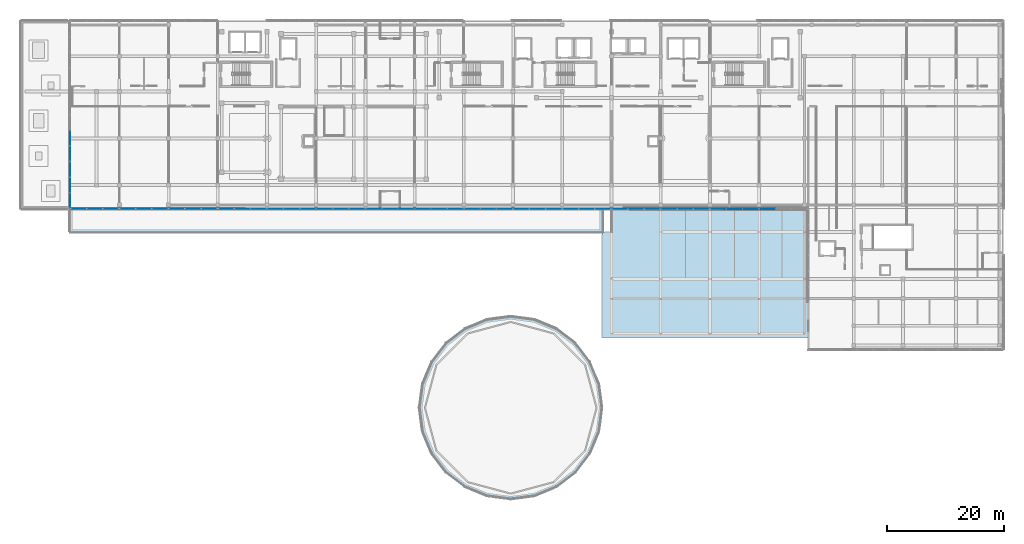
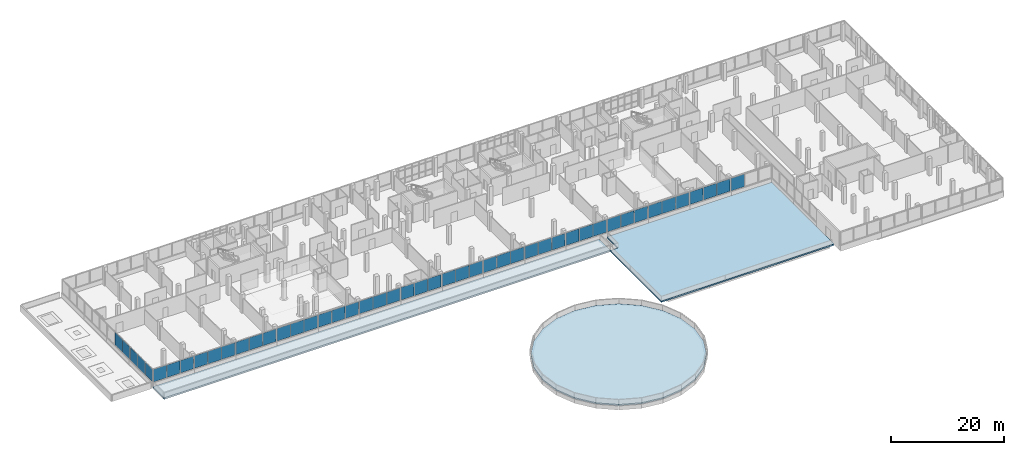
# One storey, part 59 of 78: 48 plates, 3 slabs, 17 elements without a shape of their own.
"""IFC4 building model written with IfcOpenShell, lengths in metres."""

from ifc_helpers import new_model, si_unit, direction, frame, origin, origin_2d, place, context, subcontext, project, spatial, polyline, rectangle, outline, extrude, material, layer, layer_set, type_object, element, aggregate, save


model = new_model("IFC4")

# Units and contexts
model_context = context("Model", 3, precision=1e-05, world=origin(), true_north=direction((0.0, 1.0)))
body_context = subcontext(model_context, "Body", "Model", "MODEL_VIEW")
ifc_project = project(units=[si_unit("LENGTHUNIT", "METRE"), si_unit("AREAUNIT", "SQUARE_METRE"), si_unit("VOLUMEUNIT", "CUBIC_METRE"), si_unit("PLANEANGLEUNIT", "RADIAN"), si_unit("MASSUNIT", "GRAM", prefix="KILO")], contexts=[model_context])

# Site, building, storey
site_placement = place(None, origin())
site = spatial("IfcSite", under=ifc_project, at=site_placement, CompositionType="ELEMENT")
building_placement = place(site_placement, origin())
building = spatial("IfcBuilding", under=site, at=building_placement, Name="Selatvlak General Hospital", CompositionType="ELEMENT")
storey_placement = place(building_placement, frame((0.0, 0.0, 23.25)))
storey = spatial("IfcBuildingStorey", under=building, at=storey_placement, Name="L05", CompositionType="ELEMENT", Elevation=23.25)

# Curtain wall, plates
ifc_material_1 = material(Name="Solar-control Low-E double glazing", Category="glass")
curtain_wall_type_1 = type_object("IfcCurtainWallType", Name="CW-CW-01", PredefinedType="USERDEFINED", material=ifc_material_1)
curtain_wall_1_placement = place(storey_placement, origin())
curtain_wall_1 = element("IfcCurtainWall", 1, at=curtain_wall_1_placement, inside=storey, type_object=curtain_wall_type_1, Name="Glazed facade curtain wall CW-L05-0543", ObjectType="UNITISED CURTAIN WALL", PredefinedType="USERDEFINED")
ifc_layer_1 = layer(ifc_material_1, 0.028076171875, Name="Solar-control Low-E double glazing", Category="glass")
ifc_layer_set_1 = layer_set([ifc_layer_1], Name="Solar-control Low-E double glazing")
plate_type = type_object("IfcPlateType", Name="CWP-01", PredefinedType="CURTAIN_PANEL", material=ifc_layer_set_1)
plate_1_placement = place(storey_placement, frame((22.800048828125, 89.359619140625, 1.0048828125), z_axis=(0.0, 0.0, 1.0), x_axis=(0.0, 1.0, 0.0)))
plate_1 = element("IfcPlate", 2, at=plate_1_placement, type_object=plate_type, Name="CW-01 panel 1.1", PredefinedType="CURTAIN_PANEL", context=body_context, shape_type="SweptSolid", body=[
    extrude(rectangle(XDim=2.55908203125, YDim=0.028076171875, at=origin_2d()), origin(), (0.0, 0.0, 1.0), 2.705078125),
])
plate_2_placement = place(storey_placement, frame((22.800048828125, 92.0, 1.0048828125), z_axis=(0.0, 0.0, 1.0), x_axis=(0.0, 1.0, 0.0)))
plate_2 = element("IfcPlate", 3, at=plate_2_placement, type_object=plate_type, Name="CW-01 panel 2.1", PredefinedType="CURTAIN_PANEL", context=body_context, shape_type="SweptSolid", body=[
    extrude(rectangle(XDim=2.591552734375, YDim=0.028076171875, at=origin_2d()), origin(), (0.0, 0.0, 1.0), 2.705078125),
])
plate_3_placement = place(storey_placement, frame((22.800048828125, 94.640380859375, 1.0048828125), z_axis=(0.0, 0.0, 1.0), x_axis=(0.0, 1.0, 0.0)))
plate_3 = element("IfcPlate", 4, at=plate_3_placement, type_object=plate_type, Name="CW-01 panel 3.1", PredefinedType="CURTAIN_PANEL", context=body_context, shape_type="SweptSolid", body=[
    extrude(rectangle(XDim=2.55908203125, YDim=0.028076171875, at=origin_2d()), origin(), (0.0, 0.0, 1.0), 2.705078125),
])
aggregate(curtain_wall_1, [plate_1, plate_2, plate_3])

curtain_wall_type_2 = type_object("IfcCurtainWallType", Name="CW-CW-02", PredefinedType="USERDEFINED", material=ifc_material_1)
curtain_wall_2_placement = place(storey_placement, origin())
curtain_wall_2 = element("IfcCurtainWall", 5, at=curtain_wall_2_placement, inside=storey, type_object=curtain_wall_type_2, Name="Glazed facade curtain wall CW-L05-0544", ObjectType="UNITISED CURTAIN WALL", PredefinedType="USERDEFINED")
plate_4_placement = place(storey_placement, frame((22.800048828125, 97.401123046875, 1.0048828125), z_axis=(0.0, 0.0, 1.0), x_axis=(0.0, 1.0, 0.0)))
plate_4 = element("IfcPlate", 6, at=plate_4_placement, type_object=plate_type, Name="CW-02 panel 1.1", PredefinedType="CURTAIN_PANEL", context=body_context, shape_type="SweptSolid", body=[
    extrude(rectangle(XDim=2.542236328125, YDim=0.028076171875, at=origin_2d()), origin(), (0.0, 0.0, 1.0), 2.705078125),
])
plate_5_placement = place(storey_placement, frame((22.800048828125, 100.0244140625, 1.0048828125), z_axis=(0.0, 0.0, 1.0), x_axis=(0.0, 1.0, 0.0)))
plate_5 = element("IfcPlate", 7, at=plate_5_placement, type_object=plate_type, Name="CW-02 panel 2.1", PredefinedType="CURTAIN_PANEL", context=body_context, shape_type="SweptSolid", body=[
    extrude(rectangle(XDim=2.57470703125, YDim=0.028076171875, at=origin_2d()), origin(), (0.0, 0.0, 1.0), 2.705078125),
])
aggregate(curtain_wall_2, [plate_4, plate_5])

# Curtain wall, plate
curtain_wall_3_placement = place(storey_placement, origin())
curtain_wall_3 = element("IfcCurtainWall", 8, at=curtain_wall_3_placement, inside=storey, type_object=curtain_wall_type_1, Name="Glazed facade curtain wall CW-L05-0579", ObjectType="UNITISED CURTAIN WALL", PredefinedType="USERDEFINED")
plate_6_placement = place(storey_placement, frame((141.81787109375, 87.943359375, 1.0048828125), z_axis=(0.0, 0.0, 1.0), x_axis=(-0.99999988443, 0.00048076918, 0.0)))
plate_6 = element("IfcPlate", 9, at=plate_6_placement, type_object=plate_type, Name="CW-01 panel 3.1", PredefinedType="CURTAIN_PANEL", context=body_context, shape_type="SweptSolid", body=[
    extrude(rectangle(XDim=2.67578125, YDim=0.028076171875, at=origin_2d()), origin(), (0.0, 0.0, 1.0), 2.705078125),
])
aggregate(curtain_wall_3, [plate_6])

# Curtain wall, plates
curtain_wall_4_placement = place(storey_placement, origin())
curtain_wall_4 = element("IfcCurtainWall", 10, at=curtain_wall_4_placement, inside=storey, type_object=curtain_wall_type_2, Name="Glazed facade curtain wall CW-L05-0580", ObjectType="UNITISED CURTAIN WALL", PredefinedType="USERDEFINED")
plate_7_placement = place(storey_placement, frame((138.93212890625, 87.944580078125, 1.0048828125), z_axis=(0.0, 0.0, 1.0), x_axis=(-0.99999988443, 0.00048076918, 0.0)))
plate_7 = element("IfcPlate", 11, at=plate_7_placement, type_object=plate_type, Name="CW-02 panel 1.1", PredefinedType="CURTAIN_PANEL", context=body_context, shape_type="SweptSolid", body=[
    extrude(rectangle(XDim=2.67578125, YDim=0.028076171875, at=origin_2d()), origin(), (0.0, 0.0, 1.0), 2.705078125),
])
plate_8_placement = place(storey_placement, frame((136.175048828125, 87.946044921875, 1.0048828125), z_axis=(0.0, 0.0, 1.0), x_axis=(-0.99999988443, 0.00048076918, 0.0)))
plate_8 = element("IfcPlate", 12, at=plate_8_placement, type_object=plate_type, Name="CW-02 panel 2.1", PredefinedType="CURTAIN_PANEL", context=body_context, shape_type="SweptSolid", body=[
    extrude(rectangle(XDim=2.708251953125, YDim=0.028076171875, at=origin_2d()), origin(), (0.0, 0.0, 1.0), 2.705078125),
])
plate_9_placement = place(storey_placement, frame((133.41796875, 87.947265625, 1.0048828125), z_axis=(0.0, 0.0, 1.0), x_axis=(-0.99999988443, 0.00048076918, 0.0)))
plate_9 = element("IfcPlate", 13, at=plate_9_placement, type_object=plate_type, Name="CW-02 panel 3.1", PredefinedType="CURTAIN_PANEL", context=body_context, shape_type="SweptSolid", body=[
    extrude(rectangle(XDim=2.67578125, YDim=0.028076171875, at=origin_2d()), origin(), (0.0, 0.0, 1.0), 2.705078125),
])
aggregate(curtain_wall_4, [plate_7, plate_8, plate_9])

curtain_wall_5_placement = place(storey_placement, origin())
curtain_wall_5 = element("IfcCurtainWall", 14, at=curtain_wall_5_placement, inside=storey, type_object=curtain_wall_type_1, Name="Glazed facade curtain wall CW-L05-0581", ObjectType="UNITISED CURTAIN WALL", PredefinedType="USERDEFINED")
plate_10_placement = place(storey_placement, frame((130.531982421875, 87.94873046875, 1.0048828125), z_axis=(0.0, 0.0, 1.0), x_axis=(-0.99999988443, 0.00048076918, 0.0)))
plate_10 = element("IfcPlate", 15, at=plate_10_placement, type_object=plate_type, Name="CW-01 panel 1.1", PredefinedType="CURTAIN_PANEL", context=body_context, shape_type="SweptSolid", body=[
    extrude(rectangle(XDim=2.67578125, YDim=0.028076171875, at=origin_2d()), origin(), (0.0, 0.0, 1.0), 2.705078125),
])
plate_11_placement = place(storey_placement, frame((127.77490234375, 87.949951171875, 1.0048828125), z_axis=(0.0, 0.0, 1.0), x_axis=(-0.99999988443, 0.00048076918, 0.0)))
plate_11 = element("IfcPlate", 16, at=plate_11_placement, type_object=plate_type, Name="CW-01 panel 2.1", PredefinedType="CURTAIN_PANEL", context=body_context, shape_type="SweptSolid", body=[
    extrude(rectangle(XDim=2.708251953125, YDim=0.028076171875, at=origin_2d()), origin(), (0.0, 0.0, 1.0), 2.705078125),
])
plate_12_placement = place(storey_placement, frame((125.017822265625, 87.951416015625, 1.0048828125), z_axis=(0.0, 0.0, 1.0), x_axis=(-0.99999988443, 0.00048076918, 0.0)))
plate_12 = element("IfcPlate", 17, at=plate_12_placement, type_object=plate_type, Name="CW-01 panel 3.1", PredefinedType="CURTAIN_PANEL", context=body_context, shape_type="SweptSolid", body=[
    extrude(rectangle(XDim=2.67578125, YDim=0.028076171875, at=origin_2d()), origin(), (0.0, 0.0, 1.0), 2.705078125),
])
aggregate(curtain_wall_5, [plate_10, plate_11, plate_12])

curtain_wall_6_placement = place(storey_placement, origin())
curtain_wall_6 = element("IfcCurtainWall", 18, at=curtain_wall_6_placement, inside=storey, type_object=curtain_wall_type_2, Name="Glazed facade curtain wall CW-L05-0582", ObjectType="UNITISED CURTAIN WALL", PredefinedType="USERDEFINED")
plate_13_placement = place(storey_placement, frame((122.132080078125, 87.95263671875, 1.0048828125), z_axis=(0.0, 0.0, 1.0), x_axis=(-0.99999988443, 0.00048076918, 0.0)))
plate_13 = element("IfcPlate", 19, at=plate_13_placement, type_object=plate_type, Name="CW-02 panel 1.1", PredefinedType="CURTAIN_PANEL", context=body_context, shape_type="SweptSolid", body=[
    extrude(rectangle(XDim=2.67578125, YDim=0.028076171875, at=origin_2d()), origin(), (0.0, 0.0, 1.0), 2.705078125),
])
plate_14_placement = place(storey_placement, frame((119.375, 87.9541015625, 1.0048828125), z_axis=(0.0, 0.0, 1.0), x_axis=(-0.99999988443, 0.00048076918, 0.0)))
plate_14 = element("IfcPlate", 20, at=plate_14_placement, type_object=plate_type, Name="CW-02 panel 2.1", PredefinedType="CURTAIN_PANEL", context=body_context, shape_type="SweptSolid", body=[
    extrude(rectangle(XDim=2.708251953125, YDim=0.028076171875, at=origin_2d()), origin(), (0.0, 0.0, 1.0), 2.705078125),
])
plate_15_placement = place(storey_placement, frame((116.617919921875, 87.955322265625, 1.0048828125), z_axis=(0.0, 0.0, 1.0), x_axis=(-0.99999988443, 0.00048076918, 0.0)))
plate_15 = element("IfcPlate", 21, at=plate_15_placement, type_object=plate_type, Name="CW-02 panel 3.1", PredefinedType="CURTAIN_PANEL", context=body_context, shape_type="SweptSolid", body=[
    extrude(rectangle(XDim=2.67578125, YDim=0.028076171875, at=origin_2d()), origin(), (0.0, 0.0, 1.0), 2.705078125),
])
aggregate(curtain_wall_6, [plate_13, plate_14, plate_15])

curtain_wall_7_placement = place(storey_placement, origin())
curtain_wall_7 = element("IfcCurtainWall", 22, at=curtain_wall_7_placement, inside=storey, type_object=curtain_wall_type_1, Name="Glazed facade curtain wall CW-L05-0583", ObjectType="UNITISED CURTAIN WALL", PredefinedType="USERDEFINED")
plate_16_placement = place(storey_placement, frame((113.732177734375, 87.956787109375, 1.0048828125), z_axis=(0.0, 0.0, 1.0), x_axis=(-0.99999988443, 0.00048076918, 0.0)))
plate_16 = element("IfcPlate", 23, at=plate_16_placement, type_object=plate_type, Name="CW-01 panel 1.1", PredefinedType="CURTAIN_PANEL", context=body_context, shape_type="SweptSolid", body=[
    extrude(rectangle(XDim=2.67578125, YDim=0.028076171875, at=origin_2d()), origin(), (0.0, 0.0, 1.0), 2.705078125),
])
plate_17_placement = place(storey_placement, frame((110.97509765625, 87.9580078125, 1.0048828125), z_axis=(0.0, 0.0, 1.0), x_axis=(-0.99999988443, 0.00048076918, 0.0)))
plate_17 = element("IfcPlate", 24, at=plate_17_placement, type_object=plate_type, Name="CW-01 panel 2.1", PredefinedType="CURTAIN_PANEL", context=body_context, shape_type="SweptSolid", body=[
    extrude(rectangle(XDim=2.708251953125, YDim=0.028076171875, at=origin_2d()), origin(), (0.0, 0.0, 1.0), 2.705078125),
])
plate_18_placement = place(storey_placement, frame((108.218017578125, 87.959228515625, 1.0048828125), z_axis=(0.0, 0.0, 1.0), x_axis=(-0.99999988443, 0.00048076918, 0.0)))
plate_18 = element("IfcPlate", 25, at=plate_18_placement, type_object=plate_type, Name="CW-01 panel 3.1", PredefinedType="CURTAIN_PANEL", context=body_context, shape_type="SweptSolid", body=[
    extrude(rectangle(XDim=2.67578125, YDim=0.028076171875, at=origin_2d()), origin(), (0.0, 0.0, 1.0), 2.705078125),
])
aggregate(curtain_wall_7, [plate_16, plate_17, plate_18])

curtain_wall_8_placement = place(storey_placement, origin())
curtain_wall_8 = element("IfcCurtainWall", 26, at=curtain_wall_8_placement, inside=storey, type_object=curtain_wall_type_2, Name="Glazed facade curtain wall CW-L05-0584", ObjectType="UNITISED CURTAIN WALL", PredefinedType="USERDEFINED")
plate_19_placement = place(storey_placement, frame((105.33203125, 87.960693359375, 1.0048828125), z_axis=(0.0, 0.0, 1.0), x_axis=(-0.99999988443, 0.00048076918, 0.0)))
plate_19 = element("IfcPlate", 27, at=plate_19_placement, type_object=plate_type, Name="CW-02 panel 1.1", PredefinedType="CURTAIN_PANEL", context=body_context, shape_type="SweptSolid", body=[
    extrude(rectangle(XDim=2.67578125, YDim=0.028076171875, at=origin_2d()), origin(), (0.0, 0.0, 1.0), 2.705078125),
])
plate_20_placement = place(storey_placement, frame((102.574951171875, 87.9619140625, 1.0048828125), z_axis=(0.0, 0.0, 1.0), x_axis=(-0.99999988443, 0.00048076918, 0.0)))
plate_20 = element("IfcPlate", 28, at=plate_20_placement, type_object=plate_type, Name="CW-02 panel 2.1", PredefinedType="CURTAIN_PANEL", context=body_context, shape_type="SweptSolid", body=[
    extrude(rectangle(XDim=2.708251953125, YDim=0.028076171875, at=origin_2d()), origin(), (0.0, 0.0, 1.0), 2.705078125),
])
plate_21_placement = place(storey_placement, frame((99.81787109375, 87.96337890625, 1.0048828125), z_axis=(0.0, 0.0, 1.0), x_axis=(-0.99999988443, 0.00048076918, 0.0)))
plate_21 = element("IfcPlate", 29, at=plate_21_placement, type_object=plate_type, Name="CW-02 panel 3.1", PredefinedType="CURTAIN_PANEL", context=body_context, shape_type="SweptSolid", body=[
    extrude(rectangle(XDim=2.67578125, YDim=0.028076171875, at=origin_2d()), origin(), (0.0, 0.0, 1.0), 2.705078125),
])
aggregate(curtain_wall_8, [plate_19, plate_20, plate_21])

curtain_wall_9_placement = place(storey_placement, origin())
curtain_wall_9 = element("IfcCurtainWall", 30, at=curtain_wall_9_placement, inside=storey, type_object=curtain_wall_type_1, Name="Glazed facade curtain wall CW-L05-0585", ObjectType="UNITISED CURTAIN WALL", PredefinedType="USERDEFINED")
plate_22_placement = place(storey_placement, frame((96.93212890625, 87.964599609375, 1.0048828125), z_axis=(0.0, 0.0, 1.0), x_axis=(-0.99999988443, 0.00048076918, 0.0)))
plate_22 = element("IfcPlate", 31, at=plate_22_placement, type_object=plate_type, Name="CW-01 panel 1.1", PredefinedType="CURTAIN_PANEL", context=body_context, shape_type="SweptSolid", body=[
    extrude(rectangle(XDim=2.67578125, YDim=0.028076171875, at=origin_2d()), origin(), (0.0, 0.0, 1.0), 2.705078125),
])
plate_23_placement = place(storey_placement, frame((94.175048828125, 87.966064453125, 1.0048828125), z_axis=(0.0, 0.0, 1.0), x_axis=(-0.99999988443, 0.00048076918, 0.0)))
plate_23 = element("IfcPlate", 32, at=plate_23_placement, type_object=plate_type, Name="CW-01 panel 2.1", PredefinedType="CURTAIN_PANEL", context=body_context, shape_type="SweptSolid", body=[
    extrude(rectangle(XDim=2.708251953125, YDim=0.028076171875, at=origin_2d()), origin(), (0.0, 0.0, 1.0), 2.705078125),
])
plate_24_placement = place(storey_placement, frame((91.41796875, 87.96728515625, 1.0048828125), z_axis=(0.0, 0.0, 1.0), x_axis=(-0.99999988443, 0.00048076918, 0.0)))
plate_24 = element("IfcPlate", 33, at=plate_24_placement, type_object=plate_type, Name="CW-01 panel 3.1", PredefinedType="CURTAIN_PANEL", context=body_context, shape_type="SweptSolid", body=[
    extrude(rectangle(XDim=2.67578125, YDim=0.028076171875, at=origin_2d()), origin(), (0.0, 0.0, 1.0), 2.705078125),
])
aggregate(curtain_wall_9, [plate_22, plate_23, plate_24])

curtain_wall_10_placement = place(storey_placement, origin())
curtain_wall_10 = element("IfcCurtainWall", 34, at=curtain_wall_10_placement, inside=storey, type_object=curtain_wall_type_2, Name="Glazed facade curtain wall CW-L05-0586", ObjectType="UNITISED CURTAIN WALL", PredefinedType="USERDEFINED")
plate_25_placement = place(storey_placement, frame((88.531982421875, 87.96875, 1.0048828125), z_axis=(0.0, 0.0, 1.0), x_axis=(-0.99999988443, 0.00048076918, 0.0)))
plate_25 = element("IfcPlate", 35, at=plate_25_placement, type_object=plate_type, Name="CW-02 panel 1.1", PredefinedType="CURTAIN_PANEL", context=body_context, shape_type="SweptSolid", body=[
    extrude(rectangle(XDim=2.67578125, YDim=0.028076171875, at=origin_2d()), origin(), (0.0, 0.0, 1.0), 2.705078125),
])
plate_26_placement = place(storey_placement, frame((85.77490234375, 87.969970703125, 1.0048828125), z_axis=(0.0, 0.0, 1.0), x_axis=(-0.99999988443, 0.00048076918, 0.0)))
plate_26 = element("IfcPlate", 36, at=plate_26_placement, type_object=plate_type, Name="CW-02 panel 2.1", PredefinedType="CURTAIN_PANEL", context=body_context, shape_type="SweptSolid", body=[
    extrude(rectangle(XDim=2.708251953125, YDim=0.028076171875, at=origin_2d()), origin(), (0.0, 0.0, 1.0), 2.705078125),
])
plate_27_placement = place(storey_placement, frame((83.017822265625, 87.971435546875, 1.0048828125), z_axis=(0.0, 0.0, 1.0), x_axis=(-0.99999988443, 0.00048076918, 0.0)))
plate_27 = element("IfcPlate", 37, at=plate_27_placement, type_object=plate_type, Name="CW-02 panel 3.1", PredefinedType="CURTAIN_PANEL", context=body_context, shape_type="SweptSolid", body=[
    extrude(rectangle(XDim=2.67578125, YDim=0.028076171875, at=origin_2d()), origin(), (0.0, 0.0, 1.0), 2.705078125),
])
aggregate(curtain_wall_10, [plate_25, plate_26, plate_27])

curtain_wall_11_placement = place(storey_placement, origin())
curtain_wall_11 = element("IfcCurtainWall", 38, at=curtain_wall_11_placement, inside=storey, type_object=curtain_wall_type_1, Name="Glazed facade curtain wall CW-L05-0587", ObjectType="UNITISED CURTAIN WALL", PredefinedType="USERDEFINED")
plate_28_placement = place(storey_placement, frame((80.132080078125, 87.97265625, 1.0048828125), z_axis=(0.0, 0.0, 1.0), x_axis=(-0.99999988443, 0.00048076918, 0.0)))
plate_28 = element("IfcPlate", 39, at=plate_28_placement, type_object=plate_type, Name="CW-01 panel 1.1", PredefinedType="CURTAIN_PANEL", context=body_context, shape_type="SweptSolid", body=[
    extrude(rectangle(XDim=2.67578125, YDim=0.028076171875, at=origin_2d()), origin(), (0.0, 0.0, 1.0), 2.705078125),
])
plate_29_placement = place(storey_placement, frame((77.375, 87.97412109375, 1.0048828125), z_axis=(0.0, 0.0, 1.0), x_axis=(-0.99999988443, 0.00048076918, 0.0)))
plate_29 = element("IfcPlate", 40, at=plate_29_placement, type_object=plate_type, Name="CW-01 panel 2.1", PredefinedType="CURTAIN_PANEL", context=body_context, shape_type="SweptSolid", body=[
    extrude(rectangle(XDim=2.708251953125, YDim=0.028076171875, at=origin_2d()), origin(), (0.0, 0.0, 1.0), 2.705078125),
])
plate_30_placement = place(storey_placement, frame((74.617919921875, 87.975341796875, 1.0048828125), z_axis=(0.0, 0.0, 1.0), x_axis=(-0.99999988443, 0.00048076918, 0.0)))
plate_30 = element("IfcPlate", 41, at=plate_30_placement, type_object=plate_type, Name="CW-01 panel 3.1", PredefinedType="CURTAIN_PANEL", context=body_context, shape_type="SweptSolid", body=[
    extrude(rectangle(XDim=2.67578125, YDim=0.028076171875, at=origin_2d()), origin(), (0.0, 0.0, 1.0), 2.705078125),
])
aggregate(curtain_wall_11, [plate_28, plate_29, plate_30])

curtain_wall_12_placement = place(storey_placement, origin())
curtain_wall_12 = element("IfcCurtainWall", 42, at=curtain_wall_12_placement, inside=storey, type_object=curtain_wall_type_2, Name="Glazed facade curtain wall CW-L05-0588", ObjectType="UNITISED CURTAIN WALL", PredefinedType="USERDEFINED")
plate_31_placement = place(storey_placement, frame((71.732177734375, 87.9765625, 1.0048828125), z_axis=(0.0, 0.0, 1.0), x_axis=(-0.99999988443, 0.00048076918, 0.0)))
plate_31 = element("IfcPlate", 43, at=plate_31_placement, type_object=plate_type, Name="CW-02 panel 1.1", PredefinedType="CURTAIN_PANEL", context=body_context, shape_type="SweptSolid", body=[
    extrude(rectangle(XDim=2.67578125, YDim=0.028076171875, at=origin_2d()), origin(), (0.0, 0.0, 1.0), 2.705078125),
])
plate_32_placement = place(storey_placement, frame((68.97509765625, 87.97802734375, 1.0048828125), z_axis=(0.0, 0.0, 1.0), x_axis=(-0.99999988443, 0.00048076918, 0.0)))
plate_32 = element("IfcPlate", 44, at=plate_32_placement, type_object=plate_type, Name="CW-02 panel 2.1", PredefinedType="CURTAIN_PANEL", context=body_context, shape_type="SweptSolid", body=[
    extrude(rectangle(XDim=2.708251953125, YDim=0.028076171875, at=origin_2d()), origin(), (0.0, 0.0, 1.0), 2.705078125),
])
plate_33_placement = place(storey_placement, frame((66.218017578125, 87.979248046875, 1.0048828125), z_axis=(0.0, 0.0, 1.0), x_axis=(-0.99999988443, 0.00048076918, 0.0)))
plate_33 = element("IfcPlate", 45, at=plate_33_placement, type_object=plate_type, Name="CW-02 panel 3.1", PredefinedType="CURTAIN_PANEL", context=body_context, shape_type="SweptSolid", body=[
    extrude(rectangle(XDim=2.67578125, YDim=0.028076171875, at=origin_2d()), origin(), (0.0, 0.0, 1.0), 2.705078125),
])
aggregate(curtain_wall_12, [plate_31, plate_32, plate_33])

curtain_wall_13_placement = place(storey_placement, origin())
curtain_wall_13 = element("IfcCurtainWall", 46, at=curtain_wall_13_placement, inside=storey, type_object=curtain_wall_type_1, Name="Glazed facade curtain wall CW-L05-0589", ObjectType="UNITISED CURTAIN WALL", PredefinedType="USERDEFINED")
plate_34_placement = place(storey_placement, frame((63.33203125, 87.980712890625, 1.0048828125), z_axis=(0.0, 0.0, 1.0), x_axis=(-0.99999988443, 0.00048076918, 0.0)))
plate_34 = element("IfcPlate", 47, at=plate_34_placement, type_object=plate_type, Name="CW-01 panel 1.1", PredefinedType="CURTAIN_PANEL", context=body_context, shape_type="SweptSolid", body=[
    extrude(rectangle(XDim=2.67578125, YDim=0.028076171875, at=origin_2d()), origin(), (0.0, 0.0, 1.0), 2.705078125),
])
plate_35_placement = place(storey_placement, frame((60.574951171875, 87.98193359375, 1.0048828125), z_axis=(0.0, 0.0, 1.0), x_axis=(-0.99999988443, 0.00048076918, 0.0)))
plate_35 = element("IfcPlate", 48, at=plate_35_placement, type_object=plate_type, Name="CW-01 panel 2.1", PredefinedType="CURTAIN_PANEL", context=body_context, shape_type="SweptSolid", body=[
    extrude(rectangle(XDim=2.708251953125, YDim=0.028076171875, at=origin_2d()), origin(), (0.0, 0.0, 1.0), 2.705078125),
])
plate_36_placement = place(storey_placement, frame((57.81787109375, 87.9833984375, 1.0048828125), z_axis=(0.0, 0.0, 1.0), x_axis=(-0.99999988443, 0.00048076918, 0.0)))
plate_36 = element("IfcPlate", 49, at=plate_36_placement, type_object=plate_type, Name="CW-01 panel 3.1", PredefinedType="CURTAIN_PANEL", context=body_context, shape_type="SweptSolid", body=[
    extrude(rectangle(XDim=2.67578125, YDim=0.028076171875, at=origin_2d()), origin(), (0.0, 0.0, 1.0), 2.705078125),
])
aggregate(curtain_wall_13, [plate_34, plate_35, plate_36])

curtain_wall_14_placement = place(storey_placement, origin())
curtain_wall_14 = element("IfcCurtainWall", 50, at=curtain_wall_14_placement, inside=storey, type_object=curtain_wall_type_2, Name="Glazed facade curtain wall CW-L05-0590", ObjectType="UNITISED CURTAIN WALL", PredefinedType="USERDEFINED")
plate_37_placement = place(storey_placement, frame((54.93212890625, 87.984619140625, 1.0048828125), z_axis=(0.0, 0.0, 1.0), x_axis=(-0.99999988443, 0.00048076918, 0.0)))
plate_37 = element("IfcPlate", 51, at=plate_37_placement, type_object=plate_type, Name="CW-02 panel 1.1", PredefinedType="CURTAIN_PANEL", context=body_context, shape_type="SweptSolid", body=[
    extrude(rectangle(XDim=2.67578125, YDim=0.028076171875, at=origin_2d()), origin(), (0.0, 0.0, 1.0), 2.705078125),
])
plate_38_placement = place(storey_placement, frame((52.175048828125, 87.986083984375, 1.0048828125), z_axis=(0.0, 0.0, 1.0), x_axis=(-0.99999988443, 0.00048076918, 0.0)))
plate_38 = element("IfcPlate", 52, at=plate_38_placement, type_object=plate_type, Name="CW-02 panel 2.1", PredefinedType="CURTAIN_PANEL", context=body_context, shape_type="SweptSolid", body=[
    extrude(rectangle(XDim=2.708251953125, YDim=0.028076171875, at=origin_2d()), origin(), (0.0, 0.0, 1.0), 2.705078125),
])
plate_39_placement = place(storey_placement, frame((49.41796875, 87.9873046875, 1.0048828125), z_axis=(0.0, 0.0, 1.0), x_axis=(-0.99999988443, 0.00048076918, 0.0)))
plate_39 = element("IfcPlate", 53, at=plate_39_placement, type_object=plate_type, Name="CW-02 panel 3.1", PredefinedType="CURTAIN_PANEL", context=body_context, shape_type="SweptSolid", body=[
    extrude(rectangle(XDim=2.67578125, YDim=0.028076171875, at=origin_2d()), origin(), (0.0, 0.0, 1.0), 2.705078125),
])
aggregate(curtain_wall_14, [plate_37, plate_38, plate_39])

curtain_wall_15_placement = place(storey_placement, origin())
curtain_wall_15 = element("IfcCurtainWall", 54, at=curtain_wall_15_placement, inside=storey, type_object=curtain_wall_type_1, Name="Glazed facade curtain wall CW-L05-0591", ObjectType="UNITISED CURTAIN WALL", PredefinedType="USERDEFINED")
plate_40_placement = place(storey_placement, frame((46.531982421875, 87.98876953125, 1.0048828125), z_axis=(0.0, 0.0, 1.0), x_axis=(-0.99999988443, 0.00048076918, 0.0)))
plate_40 = element("IfcPlate", 55, at=plate_40_placement, type_object=plate_type, Name="CW-01 panel 1.1", PredefinedType="CURTAIN_PANEL", context=body_context, shape_type="SweptSolid", body=[
    extrude(rectangle(XDim=2.67578125, YDim=0.028076171875, at=origin_2d()), origin(), (0.0, 0.0, 1.0), 2.705078125),
])
plate_41_placement = place(storey_placement, frame((43.77490234375, 87.989990234375, 1.0048828125), z_axis=(0.0, 0.0, 1.0), x_axis=(-0.99999988443, 0.00048076918, 0.0)))
plate_41 = element("IfcPlate", 56, at=plate_41_placement, type_object=plate_type, Name="CW-01 panel 2.1", PredefinedType="CURTAIN_PANEL", context=body_context, shape_type="SweptSolid", body=[
    extrude(rectangle(XDim=2.708251953125, YDim=0.028076171875, at=origin_2d()), origin(), (0.0, 0.0, 1.0), 2.705078125),
])
plate_42_placement = place(storey_placement, frame((41.017822265625, 87.9912109375, 1.0048828125), z_axis=(0.0, 0.0, 1.0), x_axis=(-0.99999988443, 0.00048076918, 0.0)))
plate_42 = element("IfcPlate", 57, at=plate_42_placement, type_object=plate_type, Name="CW-01 panel 3.1", PredefinedType="CURTAIN_PANEL", context=body_context, shape_type="SweptSolid", body=[
    extrude(rectangle(XDim=2.67578125, YDim=0.028076171875, at=origin_2d()), origin(), (0.0, 0.0, 1.0), 2.705078125),
])
aggregate(curtain_wall_15, [plate_40, plate_41, plate_42])

curtain_wall_16_placement = place(storey_placement, origin())
curtain_wall_16 = element("IfcCurtainWall", 58, at=curtain_wall_16_placement, inside=storey, type_object=curtain_wall_type_2, Name="Glazed facade curtain wall CW-L05-0592", ObjectType="UNITISED CURTAIN WALL", PredefinedType="USERDEFINED")
plate_43_placement = place(storey_placement, frame((38.132080078125, 87.99267578125, 1.0048828125), z_axis=(0.0, 0.0, 1.0), x_axis=(-0.99999988443, 0.00048076918, 0.0)))
plate_43 = element("IfcPlate", 59, at=plate_43_placement, type_object=plate_type, Name="CW-02 panel 1.1", PredefinedType="CURTAIN_PANEL", context=body_context, shape_type="SweptSolid", body=[
    extrude(rectangle(XDim=2.67578125, YDim=0.028076171875, at=origin_2d()), origin(), (0.0, 0.0, 1.0), 2.705078125),
])
plate_44_placement = place(storey_placement, frame((35.375, 87.993896484375, 1.0048828125), z_axis=(0.0, 0.0, 1.0), x_axis=(-0.99999988443, 0.00048076918, 0.0)))
plate_44 = element("IfcPlate", 60, at=plate_44_placement, type_object=plate_type, Name="CW-02 panel 2.1", PredefinedType="CURTAIN_PANEL", context=body_context, shape_type="SweptSolid", body=[
    extrude(rectangle(XDim=2.708251953125, YDim=0.028076171875, at=origin_2d()), origin(), (0.0, 0.0, 1.0), 2.705078125),
])
plate_45_placement = place(storey_placement, frame((32.617919921875, 87.995361328125, 1.0048828125), z_axis=(0.0, 0.0, 1.0), x_axis=(-0.99999988443, 0.00048076918, 0.0)))
plate_45 = element("IfcPlate", 61, at=plate_45_placement, type_object=plate_type, Name="CW-02 panel 3.1", PredefinedType="CURTAIN_PANEL", context=body_context, shape_type="SweptSolid", body=[
    extrude(rectangle(XDim=2.67578125, YDim=0.028076171875, at=origin_2d()), origin(), (0.0, 0.0, 1.0), 2.705078125),
])
aggregate(curtain_wall_16, [plate_43, plate_44, plate_45])

curtain_wall_17_placement = place(storey_placement, origin())
curtain_wall_17 = element("IfcCurtainWall", 62, at=curtain_wall_17_placement, inside=storey, type_object=curtain_wall_type_1, Name="Glazed facade curtain wall CW-L05-0593", ObjectType="UNITISED CURTAIN WALL", PredefinedType="USERDEFINED")
plate_46_placement = place(storey_placement, frame((29.740478515625, 87.99658203125, 1.0048828125), z_axis=(0.0, 0.0, 1.0), x_axis=(-0.999999883029, 0.000483675886, 0.0)))
plate_46 = element("IfcPlate", 63, at=plate_46_placement, type_object=plate_type, Name="CW-01 panel 1.1", PredefinedType="CURTAIN_PANEL", context=body_context, shape_type="SweptSolid", body=[
    extrude(rectangle(XDim=2.6591796875, YDim=0.028076171875, at=origin_2d()), origin(), (0.0, 0.0, 1.0), 2.705078125),
])
plate_47_placement = place(storey_placement, frame((27.0, 87.998046875, 1.0048828125), z_axis=(0.0, 0.0, 1.0), x_axis=(-0.999999883029, 0.000483675886, 0.0)))
plate_47 = element("IfcPlate", 64, at=plate_47_placement, type_object=plate_type, Name="CW-01 panel 2.1", PredefinedType="CURTAIN_PANEL", context=body_context, shape_type="SweptSolid", body=[
    extrude(rectangle(XDim=2.691650390625, YDim=0.028076171875, at=origin_2d()), origin(), (0.0, 0.0, 1.0), 2.705078125),
])
plate_48_placement = place(storey_placement, frame((24.259521484375, 87.999267578125, 1.0048828125), z_axis=(0.0, 0.0, 1.0), x_axis=(-0.999999883029, 0.000483675886, 0.0)))
plate_48 = element("IfcPlate", 65, at=plate_48_placement, type_object=plate_type, Name="CW-01 panel 3.1", PredefinedType="CURTAIN_PANEL", context=body_context, shape_type="SweptSolid", body=[
    extrude(rectangle(XDim=2.6591796875, YDim=0.028076171875, at=origin_2d()), origin(), (0.0, 0.0, 1.0), 2.705078125),
])
aggregate(curtain_wall_17, [plate_46, plate_47, plate_48])

# Slabs
ifc_material_2 = material(Name="Concrete C40/50", Category="concrete")
ifc_layer_2 = layer(ifc_material_2, 0.300048828125, Name="Concrete C40/50", Category="concrete")
ifc_layer_set_2 = layer_set([ifc_layer_2], Name="Concrete C40/50")
slab_type_1 = type_object("IfcSlabType", Name="SLAB-SL-RF3", PredefinedType="ROOF", material=ifc_layer_set_2)
slab_1_placement = place(storey_placement, frame((0.0, 0.0, -0.300048828125)))
element("IfcSlab", 66, at=slab_1_placement, inside=storey, type_object=slab_type_1, Name="L05 roof slab ROOF-V4-TERR", PredefinedType="ROOF", context=body_context, shape_type="SweptSolid", body=[
    extrude(outline(polyline([(115.2041015625, 83.992919921875), (115.2080078125, 87.991943359375), (148.7919921875, 87.991943359375), (148.7919921875, 66.0), (113.60498046875, 66.0), (113.60498046875, 83.991943359375), (115.2041015625, 83.992919921875)])), origin(), (0.0, 0.0, 1.0), 0.300048828125),
])
ifc_layer_3 = layer(ifc_material_2, 0.33203125, Name="Concrete C40/50", Category="concrete")
ifc_layer_set_3 = layer_set([ifc_layer_3], Name="Concrete C40/50")
slab_type_2 = type_object("IfcSlabType", Name="SLAB-SL-RF5", PredefinedType="ROOF", material=ifc_layer_set_3)
slab_2_placement = place(storey_placement, frame((0.0, 0.0, -0.281982421875)))
element("IfcSlab", 67, at=slab_2_placement, inside=storey, type_object=slab_type_2, Name="L05 roof slab ROOF-V3-2", PredefinedType="ROOF", context=body_context, shape_type="SweptSolid", body=[
    extrude(outline(polyline([(22.800048828125, 87.991943359375), (113.594970703125, 87.991943359375), (113.594970703125, 84.0), (22.800048828125, 84.0), (22.800048828125, 87.991943359375)])), origin(), (0.0, 0.0, 1.0), 0.33203125),
])
ifc_layer_4 = layer(ifc_material_2, 0.25, Name="Concrete C40/50", Category="concrete")
ifc_layer_set_4 = layer_set([ifc_layer_4], Name="Concrete C40/50")
slab_type_3 = type_object("IfcSlabType", Name="SLAB-SL-RF6", PredefinedType="ROOF", material=ifc_layer_set_4)
slab_3_placement = place(storey_placement, frame((0.0, 0.0, 1.10009765625)))
element("IfcSlab", 68, at=slab_3_placement, inside=storey, type_object=slab_type_3, Name="L05 roof slab ROOF-DRUM-LANTERN", PredefinedType="ROOF", context=body_context, shape_type="SweptSolid", body=[
    extrude(outline(polyline([(113.5, 54.0), (112.971923828125, 58.011962890625), (111.423095703125, 61.75), (108.9599609375, 64.9599609375), (105.75, 67.423095703125), (102.011962890625, 68.971923828125), (98.0, 69.5), (93.988037109375, 68.971923828125), (90.25, 67.423095703125), (87.0400390625, 64.9599609375), (84.576904296875, 61.75), (83.028076171875, 58.011962890625), (82.5, 54.0), (83.028076171875, 49.988037109375), (84.576904296875, 46.25), (87.0400390625, 43.0400390625), (90.25, 40.576904296875), (93.988037109375, 39.028076171875), (98.0, 38.5), (102.011962890625, 39.028076171875), (105.75, 40.576904296875), (108.9599609375, 43.0400390625), (111.423095703125, 46.25), (112.971923828125, 49.988037109375), (113.5, 54.0)])), origin(), (0.0, 0.0, 1.0), 0.25),
])

save(model, "model.ifc")
